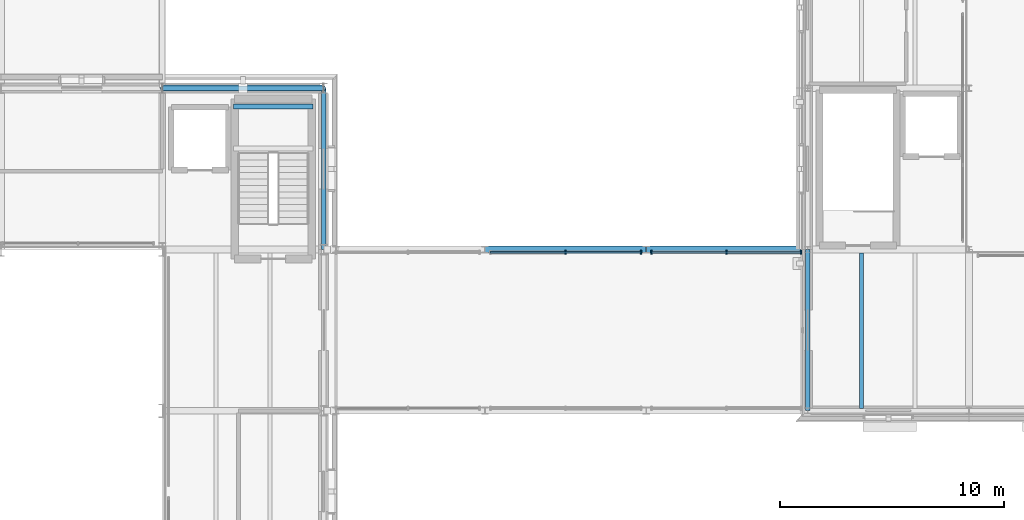
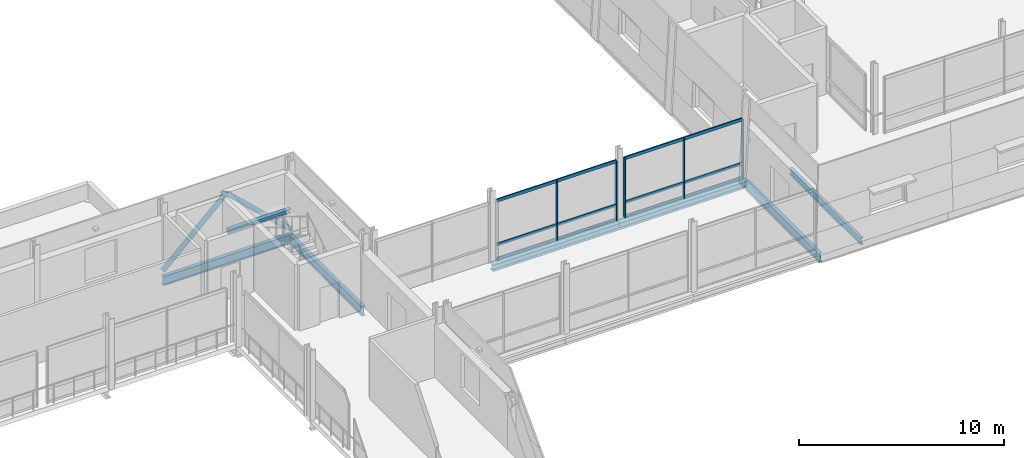
# One storey, part 34 of 115: 13 members, 7 beams, 2 elements without a shape of their own.
"""IFC4 building model written with IfcOpenShell, lengths in metres."""

from ifc_helpers import new_model, si_unit, direction, frame, origin, origin_2d, place, context, subcontext, project, spatial, rectangle, hollow_circle, i_section, extrude, material, layer, layer_set, material_profile, profile_set, type_object, element, aggregate, save


model = new_model("IFC4")

# Units and contexts
model_context = context("Model", 3, precision=1e-05, world=origin(), true_north=direction((0.0, 1.0)))
body_context = subcontext(model_context, "Body", "Model", "MODEL_VIEW")
ifc_project = project(units=[si_unit("LENGTHUNIT", "METRE"), si_unit("AREAUNIT", "SQUARE_METRE"), si_unit("VOLUMEUNIT", "CUBIC_METRE"), si_unit("PLANEANGLEUNIT", "RADIAN"), si_unit("MASSUNIT", "GRAM", prefix="KILO")], contexts=[model_context])

# Site, building, storey
site_placement = place(None, origin())
site = spatial("IfcSite", under=ifc_project, at=site_placement, CompositionType="ELEMENT")
building_placement = place(site_placement, origin())
building = spatial("IfcBuilding", under=site, at=building_placement, Name="Narikvali Park Central Library", CompositionType="ELEMENT")
storey_placement = place(building_placement, frame((0.0, 0.0, 10.199951171875)))
storey = spatial("IfcBuildingStorey", under=building, at=storey_placement, Name="L02", CompositionType="ELEMENT", Elevation=10.199951171875)

# Beams
ifc_material_1 = material(Name="Steel S355", Category="steel")
ifc_material_profile_1 = material_profile(ifc_material_1, i_section(OverallWidth=0.300048828125, OverallDepth=0.389892578125, WebThickness=0.010986328125, FlangeThickness=0.01904296875, FilletRadius=0.027099609375, at=origin_2d()), Name="HEA 400")
ifc_profile_set_1 = profile_set([ifc_material_profile_1], Name="Steel S355")
beam_type_1 = type_object("IfcBeamType", Name="Colonnade Bridge Girder HEA400", PredefinedType="BEAM", material=ifc_profile_set_1)
for number, where, z_axis, x_axis, name in (
    (1, (108.010009765625, 86.39990234375, -0.445068359375), (1.0, 0.0, 0.0), (0.0, 1.0, 0.0), "BRG-3 L02 Sliding Bridge Girder 2-2"),
    (2, (115.2099609375, 86.39990234375, -0.445068359375), (1.0, 0.0, 0.0), (0.0, 1.0, 0.0), "BRG-3 L02 Sliding Bridge Girder 2-3"),
):
    element("IfcBeam", number, at=place(storey_placement, frame(where, z_axis=z_axis, x_axis=x_axis)), inside=storey, type_object=beam_type_1, Name=name, PredefinedType="BEAM", context=body_context, shape_type="SweptSolid", body=[
        extrude(i_section(OverallWidth=0.300048828125, OverallDepth=0.389892578125, WebThickness=0.010986328125, FlangeThickness=0.01904296875, FilletRadius=0.027099609375, at=origin_2d()), origin(), (0.0, 0.0, 1.0), 7.179931640625),
    ])
ifc_material_profile_2 = material_profile(ifc_material_1, i_section(OverallWidth=0.179931640625, OverallDepth=0.39990234375, WebThickness=0.008544921875, FlangeThickness=0.013427734375, FilletRadius=0.02099609375, at=origin_2d()), Name="IPE 400")
ifc_profile_set_2 = profile_set([ifc_material_profile_2], Name="Steel S355")
beam_type_2 = type_object("IfcBeamType", Name="Composite Floor Joist IPE400", PredefinedType="JOIST", material=ifc_profile_set_2)
beam_1_placement = place(storey_placement, frame((124.800048828125, 79.304931640625, -0.47998046875), z_axis=(0.0, 1.0, 0.0), x_axis=(-1.0, 0.0, 0.0)))
element("IfcBeam", 3, at=beam_1_placement, inside=storey, type_object=beam_type_2, Name="V3 L02 Composite Joist 1", PredefinedType="JOIST", context=body_context, shape_type="SweptSolid", body=[
    extrude(i_section(OverallWidth=0.179931640625, OverallDepth=0.39990234375, WebThickness=0.008544921875, FlangeThickness=0.013427734375, FilletRadius=0.02099609375, at=origin_2d()), origin(), (0.0, 0.0, 1.0), 6.945068359375),
])

# Curtain wall, members
ifc_material_2 = material(Name="Anodised Bronze Aluminium", Category="aluminium")
ifc_layer = layer(ifc_material_2, 0.219970703125, Name="Anodised Bronze Aluminium")
ifc_layer_set = layer_set([ifc_layer], Name="Anodised Bronze Aluminium")
curtain_wall_type = type_object("IfcCurtainWallType", Name="Bridge Covered Passage Glazing System", PredefinedType="NOTDEFINED", material=ifc_layer_set)
curtain_wall_1_placement = place(storey_placement, origin())
curtain_wall_1 = element("IfcCurtainWall", 4, at=curtain_wall_1_placement, inside=storey, type_object=curtain_wall_type, Name="Bridge Covered Passage Glazing System CW-BRG-3-L02-N2", PredefinedType="NOTDEFINED")
ifc_material_profile_3 = material_profile(ifc_material_2, rectangle(XDim=0.074951171875, YDim=0.179931640625, at=origin_2d()), Name="CW TRANSOM 75x180")
ifc_profile_set_3 = profile_set([ifc_material_profile_3], Name="Anodised Bronze Aluminium")
member_type_1 = type_object("IfcMemberType", Name="Curtain Wall Heavy Transom 75x180", PredefinedType="USERDEFINED", material=ifc_profile_set_3)
member_1_placement = place(storey_placement, frame((108.239990234375, 86.280029296875, 0.030029296875), z_axis=(1.0, 0.0, 0.0), x_axis=(0.0, 1.0, 0.0)))
member_1 = element("IfcMember", 5, at=member_1_placement, type_object=member_type_1, Name="CW-BRG-3-L02-N2 Transom 00", ObjectType="TRANSOM", PredefinedType="USERDEFINED", context=body_context, shape_type="SweptSolid", body=[
    extrude(rectangle(XDim=0.074951171875, YDim=0.179931640625, at=origin_2d()), origin(), (0.0, 0.0, 1.0), 6.719970703125),
])
member_2_placement = place(storey_placement, frame((108.239990234375, 86.280029296875, 0.900146484375), z_axis=(1.0, 0.0, 0.0), x_axis=(0.0, 1.0, 0.0)))
member_2 = element("IfcMember", 6, at=member_2_placement, type_object=member_type_1, Name="CW-BRG-3-L02-N2 Transom 01", ObjectType="TRANSOM", PredefinedType="USERDEFINED", context=body_context, shape_type="SweptSolid", body=[
    extrude(rectangle(XDim=0.074951171875, YDim=0.179931640625, at=origin_2d()), origin(), (0.0, 0.0, 1.0), 6.719970703125),
])
member_3_placement = place(storey_placement, frame((108.239990234375, 86.280029296875, 3.52001953125), z_axis=(1.0, 0.0, 0.0), x_axis=(0.0, 1.0, 0.0)))
member_3 = element("IfcMember", 7, at=member_3_placement, type_object=member_type_1, Name="CW-BRG-3-L02-N2 Transom 02", ObjectType="TRANSOM", PredefinedType="USERDEFINED", context=body_context, shape_type="SweptSolid", body=[
    extrude(rectangle(XDim=0.074951171875, YDim=0.179931640625, at=origin_2d()), origin(), (0.0, 0.0, 1.0), 6.719970703125),
])

curtain_wall_2_placement = place(storey_placement, origin())
curtain_wall_2 = element("IfcCurtainWall", 8, at=curtain_wall_2_placement, inside=storey, type_object=curtain_wall_type, Name="Bridge Covered Passage Glazing System CW-BRG-3-L02-N3", PredefinedType="NOTDEFINED")
member_4_placement = place(storey_placement, frame((115.43994140625, 86.280029296875, 0.030029296875), z_axis=(1.0, 0.0, 0.0), x_axis=(0.0, 1.0, 0.0)))
member_4 = element("IfcMember", 9, at=member_4_placement, type_object=member_type_1, Name="CW-BRG-3-L02-N3 Transom 00", ObjectType="TRANSOM", PredefinedType="USERDEFINED", context=body_context, shape_type="SweptSolid", body=[
    extrude(rectangle(XDim=0.074951171875, YDim=0.179931640625, at=origin_2d()), origin(), (0.0, 0.0, 1.0), 6.66015625),
])
member_5_placement = place(storey_placement, frame((115.43994140625, 86.280029296875, 0.900146484375), z_axis=(1.0, 0.0, 0.0), x_axis=(0.0, 1.0, 0.0)))
member_5 = element("IfcMember", 10, at=member_5_placement, type_object=member_type_1, Name="CW-BRG-3-L02-N3 Transom 01", ObjectType="TRANSOM", PredefinedType="USERDEFINED", context=body_context, shape_type="SweptSolid", body=[
    extrude(rectangle(XDim=0.074951171875, YDim=0.179931640625, at=origin_2d()), origin(), (0.0, 0.0, 1.0), 6.66015625),
])
member_6_placement = place(storey_placement, frame((115.43994140625, 86.280029296875, 3.52001953125), z_axis=(1.0, 0.0, 0.0), x_axis=(0.0, 1.0, 0.0)))
member_6 = element("IfcMember", 11, at=member_6_placement, type_object=member_type_1, Name="CW-BRG-3-L02-N3 Transom 02", ObjectType="TRANSOM", PredefinedType="USERDEFINED", context=body_context, shape_type="SweptSolid", body=[
    extrude(rectangle(XDim=0.074951171875, YDim=0.179931640625, at=origin_2d()), origin(), (0.0, 0.0, 1.0), 6.66015625),
])

# Member
ifc_material_profile_4 = material_profile(ifc_material_2, rectangle(XDim=0.06494140625, YDim=0.179931640625, at=origin_2d()), Name="CW MULLION 65x180")
ifc_profile_set_4 = profile_set([ifc_material_profile_4], Name="Anodised Bronze Aluminium")
member_type_2 = type_object("IfcMemberType", Name="Curtain Wall Mullion 65x180", PredefinedType="MULLION", material=ifc_profile_set_4)
member_7_placement = place(storey_placement, frame((111.60009765625, 86.280029296875, -0.010009765625), z_axis=(0.0, 0.0, 1.0), x_axis=(1.0, 0.0, 0.0)))
member_7 = element("IfcMember", 12, at=member_7_placement, type_object=member_type_2, Name="CW-BRG-3-L02-N2 Mullion 01", PredefinedType="MULLION", context=body_context, shape_type="SweptSolid", body=[
    extrude(rectangle(XDim=0.06494140625, YDim=0.179931640625, at=origin_2d()), origin(), (0.0, 0.0, 1.0), 3.56005859375),
])

member_8_placement = place(storey_placement, frame((114.9599609375, 86.280029296875, -0.010009765625), z_axis=(0.0, 0.0, 1.0), x_axis=(1.0, 0.0, 0.0)))
member_8 = element("IfcMember", 13, at=member_8_placement, type_object=member_type_2, Name="CW-BRG-3-L02-N2 Mullion 02", PredefinedType="MULLION", context=body_context, shape_type="SweptSolid", body=[
    extrude(rectangle(XDim=0.06494140625, YDim=0.179931640625, at=origin_2d()), origin(), (0.0, 0.0, 1.0), 3.56005859375),
])

aggregate(curtain_wall_1, [member_7, member_8, member_1, member_2, member_3])

member_9_placement = place(storey_placement, frame((115.43994140625, 86.280029296875, -0.010009765625), z_axis=(0.0, 0.0, 1.0), x_axis=(1.0, 0.0, 0.0)))
member_9 = element("IfcMember", 14, at=member_9_placement, type_object=member_type_2, Name="CW-BRG-3-L02-N3 Mullion 00", PredefinedType="MULLION", context=body_context, shape_type="SweptSolid", body=[
    extrude(rectangle(XDim=0.06494140625, YDim=0.179931640625, at=origin_2d()), origin(), (0.0, 0.0, 1.0), 3.56005859375),
])

member_10_placement = place(storey_placement, frame((118.77001953125, 86.280029296875, -0.010009765625), z_axis=(0.0, 0.0, 1.0), x_axis=(1.0, 0.0, 0.0)))
member_10 = element("IfcMember", 15, at=member_10_placement, type_object=member_type_2, Name="CW-BRG-3-L02-N3 Mullion 01", PredefinedType="MULLION", context=body_context, shape_type="SweptSolid", body=[
    extrude(rectangle(XDim=0.06494140625, YDim=0.179931640625, at=origin_2d()), origin(), (0.0, 0.0, 1.0), 3.56005859375),
])

member_11_placement = place(storey_placement, frame((122.10009765625, 86.280029296875, -0.010009765625), z_axis=(0.0, 0.0, 1.0), x_axis=(1.0, 0.0, 0.0)))
member_11 = element("IfcMember", 16, at=member_11_placement, type_object=member_type_2, Name="CW-BRG-3-L02-N3 Mullion 02", PredefinedType="MULLION", context=body_context, shape_type="SweptSolid", body=[
    extrude(rectangle(XDim=0.06494140625, YDim=0.179931640625, at=origin_2d()), origin(), (0.0, 0.0, 1.0), 3.56005859375),
])

aggregate(curtain_wall_2, [member_9, member_10, member_11, member_4, member_5, member_6])

# Beams
ifc_material_profile_5 = material_profile(ifc_material_1, i_section(OverallWidth=0.2099609375, OverallDepth=0.550048828125, WebThickness=0.010986328125, FlangeThickness=0.01708984375, FilletRadius=0.02392578125, at=origin_2d()), Name="IPE 550")
ifc_profile_set_5 = profile_set([ifc_material_profile_5], Name="Steel S355")
beam_type_3 = type_object("IfcBeamType", Name="Perimeter Spandrel IPE550", PredefinedType="SPANDREL", material=ifc_profile_set_5)
for number, where, z_axis, x_axis, name in (
    (17, (93.60791015625, 93.60009765625, -0.554931640625), (1.0, 0.0, 0.0), (0.0, 1.0, 0.0), "V1 L02 Girder X"),
    (18, (100.800048828125, 86.407958984375, -0.554931640625), (0.0, 1.0, 0.0), (-1.0, 0.0, 0.0), "V1 L02 Girder Y"),
    (19, (122.39990234375, 79.2080078125, -0.554931640625), (0.0, 1.0, 0.0), (-1.0, 0.0, 0.0), "V3 L02 Girder Y"),
):
    element("IfcBeam", number, at=place(storey_placement, frame(where, z_axis=z_axis, x_axis=x_axis)), inside=storey, type_object=beam_type_3, Name=name, PredefinedType="SPANDREL", context=body_context, shape_type="SweptSolid", body=[
        extrude(i_section(OverallWidth=0.2099609375, OverallDepth=0.550048828125, WebThickness=0.010986328125, FlangeThickness=0.01708984375, FilletRadius=0.02392578125, at=origin_2d()), origin(), (0.0, 0.0, 1.0), 7.18408203125),
    ])
ifc_material_profile_6 = material_profile(ifc_material_1, i_section(OverallWidth=0.239990234375, OverallDepth=0.22998046875, WebThickness=0.007568359375, FlangeThickness=0.011962890625, FilletRadius=0.02099609375, at=origin_2d()), Name="HEA 240")
ifc_profile_set_6 = profile_set([ifc_material_profile_6], Name="Steel S355")
beam_type_4 = type_object("IfcBeamType", Name="Primary Girder HEA240", PredefinedType="BEAM", material=ifc_profile_set_6)
beam_2_placement = place(storey_placement, frame((96.77001953125, 92.780029296875, 1.78515625), z_axis=(1.0, 0.0, 0.0), x_axis=(0.0, 1.0, 0.0)))
element("IfcBeam", 20, at=beam_2_placement, inside=storey, type_object=beam_type_4, Name="ST-02 L02 Landing Trimmer Beam 1-2", PredefinedType="BEAM", context=body_context, shape_type="SweptSolid", body=[
    extrude(i_section(OverallWidth=0.239990234375, OverallDepth=0.22998046875, WebThickness=0.007568359375, FlangeThickness=0.011962890625, FilletRadius=0.02099609375, at=origin_2d()), origin(), (0.0, 0.0, 1.0), 3.56005859375),
])

# Members
ifc_material_profile_7 = material_profile(ifc_material_1, hollow_circle(Radius=0.136474609375, WallThickness=0.012451171875, at=origin_2d()), Name="CHS 273x12.5")
ifc_profile_set_7 = profile_set([ifc_material_profile_7], Name="Steel S355")
member_type_3 = type_object("IfcMemberType", Name="Seismic Chevron Brace CHS273", PredefinedType="BRACE", material=ifc_profile_set_7)
for number, where, z_axis, x_axis, name in (
    (21, (93.614990234375, 93.60009765625, 0.01513671875), (0.72709279328, 0.0, 0.686539197687), (0.0, 1.0, 0.0), "V1 L02 Seismic Chevron Brace A"),
    (22, (100.784912109375, 93.60009765625, 0.01513671875), (-0.72709279328, 0.0, 0.686539197687), (0.0, -1.0, 0.0), "V1 L02 Seismic Chevron Brace B"),
):
    element("IfcMember", number, at=place(storey_placement, frame(where, z_axis=z_axis, x_axis=x_axis)), inside=storey, type_object=member_type_3, Name=name, PredefinedType="BRACE", context=body_context, shape_type="SweptSolid", body=[
        extrude(hollow_circle(Radius=0.136474609375, WallThickness=0.012451171875, at=origin_2d()), origin(), (0.0, 0.0, 1.0), 4.930419921875),
    ])

save(model, "model.ifc")
